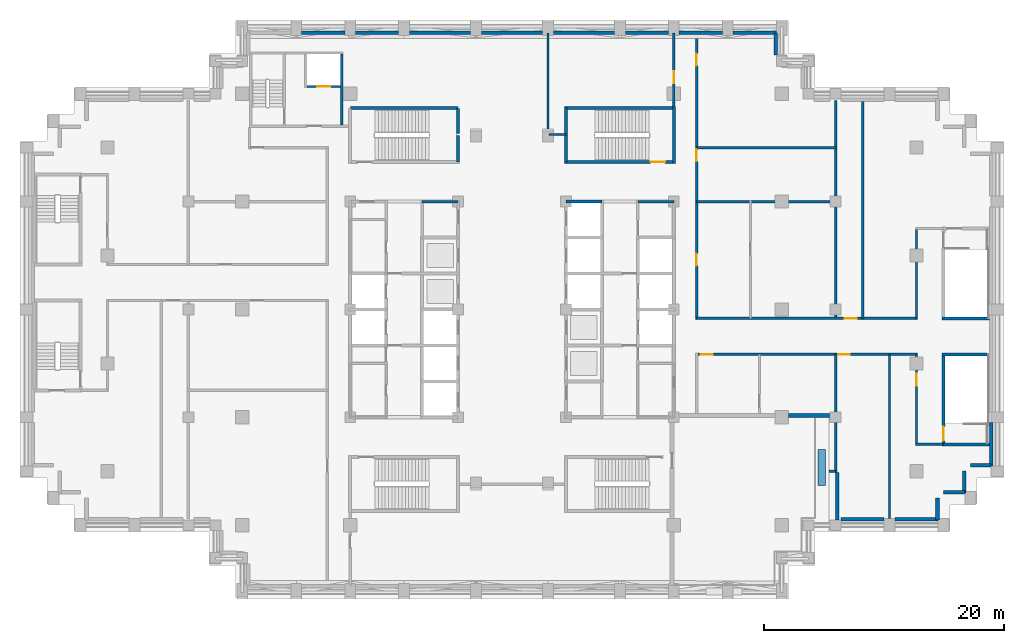
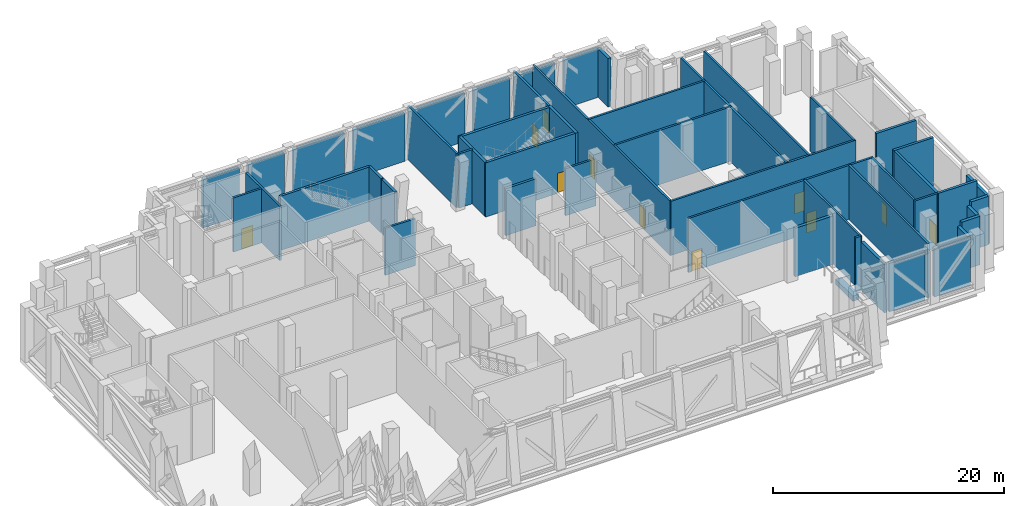
# One storey, part 8 of 14: 51 walls, 11 doors, 11 openings.
"""IFC4 building model written with IfcOpenShell, lengths in metres."""

from ifc_helpers import new_model, si_unit, direction, frame, frame_2d, origin, place, context, subcontext, project, spatial, rectangle, extrude, material, layer, layer_set, type_object, element, fill, save


model = new_model("IFC4")

# Units and contexts
model_context = context("Model", 3, precision=1e-05, world=origin(), true_north=direction((0.0, 1.0)))
body_context = subcontext(model_context, "Body", "Model", "MODEL_VIEW")
ifc_project = project(units=[si_unit("LENGTHUNIT", "METRE"), si_unit("AREAUNIT", "SQUARE_METRE"), si_unit("VOLUMEUNIT", "CUBIC_METRE"), si_unit("PLANEANGLEUNIT", "RADIAN"), si_unit("MASSUNIT", "GRAM", prefix="KILO")], contexts=[model_context])

# Site, building, storey
site_placement = place(None, origin())
site = spatial("IfcSite", under=ifc_project, at=site_placement, CompositionType="ELEMENT")
building_placement = place(site_placement, origin())
building = spatial("IfcBuilding", under=site, at=building_placement, Name="Corbelhall Arena Tower", CompositionType="ELEMENT")
storey_placement = place(building_placement, frame((0.0, 0.0, 178.0)))
storey = spatial("IfcBuildingStorey", under=building, at=storey_placement, Name="L36", CompositionType="ELEMENT", Elevation=178.0)

# Walls
ifc_material_1 = material(Name="Precast concrete C40/50 with granite facing", Category="masonry")
ifc_layer_1 = layer(ifc_material_1, 0.300048828125)
ifc_layer_set_1 = layer_set([ifc_layer_1], Name="EV-IW1 Infill panel 300")
wall_type_1 = type_object("IfcWallType", Name="EV-IW1 Infill panel 300", PredefinedType="SOLIDWALL", material=ifc_layer_set_1)
for number, where, z_axis, x_axis, name in (
    (1, (35.5, -17.550048828125, 0.0), (0.0, 0.0, 1.0), (0.0, 1.0, 0.0), "Infill panel IW1"),
    (2, (37.800048828125, -15.25, 0.0), (0.0, 0.0, 1.0), (-1.0, 0.0, 0.0), "Infill panel IW1"),
    (3, (37.75, -15.300048828125, 0.0), (0.0, 0.0, 1.0), (0.0, 1.0, 0.0), "Infill panel IW1"),
):
    element("IfcWall", number, at=place(storey_placement, frame(where, z_axis=z_axis, x_axis=x_axis)), inside=storey, type_object=wall_type_1, Name=name, PredefinedType="SOLIDWALL", context=body_context, shape_type="SweptSolid", body=[
        extrude(rectangle(XDim=1.800048828125, YDim=0.300048828125, at=frame_2d((0.89990234375, 0.0))), origin(), (0.0, 0.0, 1.0), 5.1201171875),
    ])
wall_1_placement = place(storey_placement, frame((39.949951171875, -13.0, 0.0), z_axis=(0.0, 0.0, 1.0), x_axis=(-1.0, 0.0, 0.0)))
element("IfcWall", 4, at=wall_1_placement, inside=storey, type_object=wall_type_1, Name="Infill panel IW1", PredefinedType="SOLIDWALL", context=body_context, shape_type="SweptSolid", body=[
    extrude(rectangle(XDim=1.699951171875, YDim=0.300048828125, at=frame_2d((0.85009765625, 0.0))), origin(), (0.0, 0.0, 1.0), 5.1201171875),
])
for number, where, z_axis, x_axis, name in (
    (5, (27.449951171875, -17.5, 0.0), (0.0, 0.0, 1.0), (1.0, 0.0, 0.0), "Infill panel IW1"),
    (6, (31.949951171875, -17.5, 0.0), (0.0, 0.0, 1.0), (1.0, 0.0, 0.0), "Infill panel IW1"),
    (7, (40.0, -13.050048828125, 0.0), (0.0, 0.0, 1.0), (0.0, 1.0, 0.0), "Infill panel IW1"),
):
    element("IfcWall", number, at=place(storey_placement, frame(where, z_axis=z_axis, x_axis=x_axis)), inside=storey, type_object=wall_type_1, Name=name, PredefinedType="SOLIDWALL", context=body_context, shape_type="SweptSolid", body=[
        extrude(rectangle(XDim=3.60009765625, YDim=0.300048828125, at=frame_2d((1.800048828125, 0.0))), origin(), (0.0, 0.0, 1.0), 5.1201171875),
    ])
wall_2_placement = place(storey_placement, frame((22.0, 21.25, 0.0), z_axis=(0.0, 0.0, 1.0), x_axis=(0.0, 1.0, 0.0)))
element("IfcWall", 8, at=wall_2_placement, inside=storey, type_object=wall_type_1, Name="Infill panel IW1", PredefinedType="SOLIDWALL", context=body_context, shape_type="SweptSolid", body=[
    extrude(rectangle(XDim=1.800048828125, YDim=0.300048828125, at=frame_2d((0.89990234375, 0.0))), origin(), (0.0, 0.0, 1.0), 5.1201171875),
])
for number, where, z_axis, x_axis, name in (
    (9, (22.050048828125, 23.10009765625, 0.0), (0.0, 0.0, 1.0), (-1.0, 0.0, 0.0), "Infill panel IW1"),
    (10, (17.550048828125, 23.10009765625, 0.0), (0.0, 0.0, 1.0), (-1.0, 0.0, 0.0), "Infill panel IW1"),
    (11, (13.050048828125, 23.10009765625, 0.0), (0.0, 0.0, 1.0), (-1.0, 0.0, 0.0), "Infill panel IW1"),
):
    element("IfcWall", number, at=place(storey_placement, frame(where, z_axis=z_axis, x_axis=x_axis)), inside=storey, type_object=wall_type_1, Name=name, PredefinedType="SOLIDWALL", context=body_context, shape_type="SweptSolid", body=[
        extrude(rectangle(XDim=3.60009765625, YDim=0.300048828125, at=frame_2d((1.800048828125, 0.0))), origin(), (0.0, 0.0, 1.0), 5.1201171875),
    ])
for number, where, z_axis, x_axis, name in (
    (12, (8.550048828125, 23.10009765625, 0.0), (0.0, 0.0, 1.0), (-1.0, 0.0, 0.0), "Infill panel IW1"),
    (13, (2.550048828125, 23.10009765625, 0.0), (0.0, 0.0, 1.0), (-1.0, 0.0, 0.0), "Infill panel IW1"),
    (14, (-3.449951171875, 23.10009765625, 0.0), (0.0, 0.0, 1.0), (-1.0, 0.0, 0.0), "Infill panel IW1"),
):
    element("IfcWall", number, at=place(storey_placement, frame(where, z_axis=z_axis, x_axis=x_axis)), inside=storey, type_object=wall_type_1, Name=name, PredefinedType="SOLIDWALL", context=body_context, shape_type="SweptSolid", body=[
        extrude(rectangle(XDim=5.10009765625, YDim=0.300048828125, at=frame_2d((2.550048828125, 0.0))), origin(), (0.0, 0.0, 1.0), 5.1201171875),
    ])
for number, where, z_axis, x_axis, name in (
    (15, (-9.449951171875, 23.10009765625, 0.0), (0.0, 0.0, 1.0), (-1.0, 0.0, 0.0), "Infill panel IW1"),
    (16, (-13.949951171875, 23.10009765625, 0.0), (0.0, 0.0, 1.0), (-1.0, 0.0, 0.0), "Infill panel IW1"),
):
    element("IfcWall", number, at=place(storey_placement, frame(where, z_axis=z_axis, x_axis=x_axis)), inside=storey, type_object=wall_type_1, Name=name, PredefinedType="SOLIDWALL", context=body_context, shape_type="SweptSolid", body=[
        extrude(rectangle(XDim=3.60009765625, YDim=0.300048828125, at=frame_2d((1.800048828125, 0.0))), origin(), (0.0, 0.0, 1.0), 5.1201171875),
    ])
wall_3_placement = place(storey_placement, frame((23.050048828125, -8.85009765625, 0.0), z_axis=(0.0, 0.0, 1.0), x_axis=(1.0, 0.0, 0.0)))
element("IfcWall", 17, at=wall_3_placement, inside=storey, type_object=wall_type_1, Name="Infill panel IW1", PredefinedType="SOLIDWALL", context=body_context, shape_type="SweptSolid", body=[
    extrude(rectangle(XDim=3.89990234375, YDim=0.300048828125, at=frame_2d((1.949951171875, 0.0))), origin(), (0.0, 0.0, 1.0), 5.1201171875),
])
wall_4_placement = place(storey_placement, frame((27.14990234375, -17.550048828125, 0.0), z_axis=(0.0, 0.0, 1.0), x_axis=(0.0, 1.0, 0.0)))
element("IfcWall", 18, at=wall_4_placement, inside=storey, type_object=wall_type_1, Name="Infill panel IW1", PredefinedType="SOLIDWALL", context=body_context, shape_type="SweptSolid", body=[
    extrude(rectangle(XDim=3.949951171875, YDim=0.300048828125, at=frame_2d((1.97509765625, 0.0))), origin(), (0.0, 0.0, 1.0), 5.1201171875),
])
ifc_layer_2 = layer(ifc_material_1, 0.60009765625)
ifc_layer_set_2 = layer_set([ifc_layer_2], Name="EV-PL1 Planter box")
wall_type_2 = type_object("IfcWallType", Name="EV-PL1 Planter box", PredefinedType="SOLIDWALL", material=ifc_layer_set_2)
wall_5_placement = place(storey_placement, frame((25.840087890625, -11.695068359375, 0.0), z_axis=(0.0, 0.0, 1.0), x_axis=(0.0, -1.0, 0.0)))
element("IfcWall", 19, at=wall_5_placement, inside=storey, type_object=wall_type_2, Name="PLANTER", PredefinedType="SOLIDWALL", context=body_context, shape_type="SweptSolid", body=[
    extrude(rectangle(XDim=3.0, YDim=0.60009765625, at=frame_2d((1.5, 0.0))), origin(), (0.0, 0.0, 1.0), 0.5400390625),
])
ifc_material_2 = material(Name="Gypsum board on steel stud, acoustic", Category="steel")
ifc_layer_3 = layer(ifc_material_2, 0.199951171875)
ifc_layer_set_3 = layer_set([ifc_layer_3], Name="IN-W-DM200")
wall_type_3 = type_object("IfcWallType", Name="IN-W-DM200", PredefinedType="PARTITIONING", material=ifc_layer_set_3)
wall_6_placement = place(storey_placement, frame((3.0, 23.049560546875, 0.0), z_axis=(0.0, 0.0, 1.0), x_axis=(0.0, -1.0, 0.0)))
element("IfcWall", 20, at=wall_6_placement, inside=storey, type_object=wall_type_3, Name="Partition 018", PredefinedType="PARTITIONING", context=body_context, shape_type="SweptSolid", body=[
    extrude(rectangle(XDim=8.379638671875, YDim=0.199951171875, at=frame_2d((4.18994140625, 0.0))), origin(), (0.0, 0.0, 1.0), 5.719970703125),
])
wall_7_placement = place(storey_placement, frame((3.070068359375, 14.60009765625, 0.0), z_axis=(0.0, 0.0, 1.0), x_axis=(1.0, 0.0, 0.0)))
element("IfcWall", 21, at=wall_7_placement, inside=storey, type_object=wall_type_3, Name="Partition 019", PredefinedType="PARTITIONING", context=body_context, shape_type="SweptSolid", body=[
    extrude(rectangle(XDim=1.429443359375, YDim=0.199951171875, at=frame_2d((0.71484375, 0.0))), origin(), (0.0, 0.0, 1.0), 5.719970703125),
])

# Wall, opening, door
wall_8_placement = place(storey_placement, frame((13.5, 16.675048828125, 0.0), z_axis=(0.0, 0.0, 1.0), x_axis=(0.0, 1.0, 0.0)))
wall_8 = element("IfcWall", 22, at=wall_8_placement, inside=storey, type_object=wall_type_3, Name="Partition 020", PredefinedType="PARTITIONING", context=body_context, shape_type="SweptSolid", body=[
    extrude(rectangle(XDim=6.375, YDim=0.199951171875, at=frame_2d((3.1875, 0.0))), origin(), (0.0, 0.0, 1.0), 5.719970703125),
])
opening_1_placement = place(wall_8_placement, frame((2.199951171875, 0.0, 0.0)))
opening_1 = element("IfcOpeningElement", 23, at=opening_1_placement, cuts=wall_8, Name="Opening 27020", PredefinedType="OPENING", context=body_context, shape_type="SweptSolid", body=[
    extrude(rectangle(XDim=1.0, YDim=2.10009765625, at=frame_2d((0.5, 1.050048828125))), frame((0.0, 0.10009765625, 0.0), z_axis=(0.0, -1.0, 0.0), x_axis=(1.0, 0.0, 0.0)), (0.0, 0.0, 1.0), 0.199951171875),
])
ifc_material_3 = material(Name="Steel door set", Category="steel")
door_type_1 = type_object("IfcDoorType", Name="IN-D-SW100", OperationType="NOTDEFINED", PredefinedType="DOOR", material=ifc_material_3)
door_1_placement = place(opening_1_placement, origin())
door_1 = element("IfcDoor", 24, at=door_1_placement, inside=storey, type_object=door_type_1, Name="Door 020", OperationType="SINGLE_SWING_LEFT", OverallHeight=2.10009765625, OverallWidth=1.0, PredefinedType="DOOR", context=body_context, shape_type="SweptSolid", body=[
    extrude(rectangle(XDim=1.0, YDim=2.10009765625, at=frame_2d((0.5, 1.050048828125))), frame((0.0, 0.02490234375, 0.0), z_axis=(0.0, -1.0, 0.0), x_axis=(1.0, 0.0, 0.0)), (0.0, 0.0, 1.0), 0.050048828125),
])
fill(opening_1, door_1)

wall_9_placement = place(storey_placement, frame((15.39990234375, -0.75, 0.0), z_axis=(0.0, 0.0, 1.0), x_axis=(1.0, 0.0, 0.0)))
wall_9 = element("IfcWall", 25, at=wall_9_placement, inside=storey, type_object=wall_type_3, Name="Partition 022", PredefinedType="PARTITIONING", context=body_context, shape_type="SweptSolid", body=[
    extrude(rectangle(XDim=18.4501953125, YDim=0.199951171875, at=frame_2d((9.22509765625, 0.0))), origin(), (0.0, 0.0, 1.0), 5.719970703125),
])
opening_2_placement = place(wall_9_placement, frame((12.35009765625, 0.0, 0.0)))
opening_2 = element("IfcOpeningElement", 26, at=opening_2_placement, cuts=wall_9, Name="Opening 27035", PredefinedType="OPENING", context=body_context, shape_type="SweptSolid", body=[
    extrude(rectangle(XDim=1.0, YDim=2.10009765625, at=frame_2d((0.5, 1.050048828125))), frame((0.0, 0.10009765625, 0.0), z_axis=(0.0, -1.0, 0.0), x_axis=(1.0, 0.0, 0.0)), (0.0, 0.0, 1.0), 0.199951171875),
])
door_2_placement = place(opening_2_placement, origin())
door_2 = element("IfcDoor", 27, at=door_2_placement, inside=storey, type_object=door_type_1, Name="Door 035", OperationType="SINGLE_SWING_RIGHT", OverallHeight=2.10009765625, OverallWidth=1.0, PredefinedType="DOOR", context=body_context, shape_type="SweptSolid", body=[
    extrude(rectangle(XDim=1.0, YDim=2.10009765625, at=frame_2d((0.5, 1.050048828125))), frame((0.0, 0.02490234375, 0.0), z_axis=(0.0, -1.0, 0.0), x_axis=(1.0, 0.0, 0.0)), (0.0, 0.0, 1.0), 0.050048828125),
])
fill(opening_2, door_2)

# Wall
wall_10_placement = place(storey_placement, frame((15.39990234375, 9.0, 0.0), z_axis=(0.0, 0.0, 1.0), x_axis=(1.0, 0.0, 0.0)))
element("IfcWall", 28, at=wall_10_placement, inside=storey, type_object=wall_type_3, Name="Partition 023", PredefinedType="PARTITIONING", context=body_context, shape_type="SweptSolid", body=[
    extrude(rectangle(XDim=11.7001953125, YDim=0.199951171875, at=frame_2d((5.85009765625, 0.0))), origin(), (0.0, 0.0, 1.0), 5.719970703125),
])

# Wall, openings, doors
wall_11_placement = place(storey_placement, frame((15.39990234375, 22.949951171875, 0.0), z_axis=(0.0, 0.0, 1.0), x_axis=(0.0, -1.0, 0.0)))
wall_11 = element("IfcWall", 29, at=wall_11_placement, inside=storey, type_object=wall_type_3, Name="Partition 024", PredefinedType="PARTITIONING", context=body_context, shape_type="SweptSolid", body=[
    extrude(rectangle(XDim=23.800048828125, YDim=0.199951171875, at=frame_2d((11.89990234375, 0.0))), origin(), (0.0, 0.0, 1.0), 5.719970703125),
])
opening_3_placement = place(wall_11_placement, frame((18.300048828125, 0.0, 0.0)))
opening_3 = element("IfcOpeningElement", 30, at=opening_3_placement, cuts=wall_11, Name="Opening 27026", PredefinedType="OPENING", context=body_context, shape_type="SweptSolid", body=[
    extrude(rectangle(XDim=1.0, YDim=2.10009765625, at=frame_2d((0.5, 1.050048828125))), frame((0.0, 0.10009765625, 0.0), z_axis=(0.0, -1.0, 0.0), x_axis=(1.0, 0.0, 0.0)), (0.0, 0.0, 1.0), 0.199951171875),
])
opening_4_placement = place(wall_11_placement, frame((9.60009765625, 0.0, 0.0)))
opening_4 = element("IfcOpeningElement", 31, at=opening_4_placement, cuts=wall_11, Name="Opening 27028", PredefinedType="OPENING", context=body_context, shape_type="SweptSolid", body=[
    extrude(rectangle(XDim=1.0, YDim=2.10009765625, at=frame_2d((0.5, 1.050048828125))), frame((0.0, 0.10009765625, 0.0), z_axis=(0.0, -1.0, 0.0), x_axis=(1.0, 0.0, 0.0)), (0.0, 0.0, 1.0), 0.199951171875),
])
opening_5_placement = place(wall_11_placement, frame((1.60009765625, 0.0, 0.0)))
opening_5 = element("IfcOpeningElement", 32, at=opening_5_placement, cuts=wall_11, Name="Opening 27029", PredefinedType="OPENING", context=body_context, shape_type="SweptSolid", body=[
    extrude(rectangle(XDim=1.0, YDim=2.10009765625, at=frame_2d((0.5, 1.050048828125))), frame((0.0, 0.10009765625, 0.0), z_axis=(0.0, -1.0, 0.0), x_axis=(1.0, 0.0, 0.0)), (0.0, 0.0, 1.0), 0.199951171875),
])
door_3_placement = place(opening_3_placement, origin())
door_3 = element("IfcDoor", 33, at=door_3_placement, inside=storey, type_object=door_type_1, Name="Door 026", OperationType="SINGLE_SWING_LEFT", OverallHeight=2.10009765625, OverallWidth=1.0, PredefinedType="DOOR", context=body_context, shape_type="SweptSolid", body=[
    extrude(rectangle(XDim=1.0, YDim=2.10009765625, at=frame_2d((0.5, 1.050048828125))), frame((0.0, 0.02490234375, 0.0), z_axis=(0.0, -1.0, 0.0), x_axis=(1.0, 0.0, 0.0)), (0.0, 0.0, 1.0), 0.050048828125),
])
fill(opening_3, door_3)
door_4_placement = place(opening_4_placement, origin())
door_4 = element("IfcDoor", 34, at=door_4_placement, inside=storey, type_object=door_type_1, Name="Door 028", OperationType="SINGLE_SWING_LEFT", OverallHeight=2.10009765625, OverallWidth=1.0, PredefinedType="DOOR", context=body_context, shape_type="SweptSolid", body=[
    extrude(rectangle(XDim=1.0, YDim=2.10009765625, at=frame_2d((0.5, 1.050048828125))), frame((0.0, 0.02490234375, 0.0), z_axis=(0.0, -1.0, 0.0), x_axis=(1.0, 0.0, 0.0)), (0.0, 0.0, 1.0), 0.050048828125),
])
fill(opening_4, door_4)
door_5_placement = place(opening_5_placement, origin())
door_5 = element("IfcDoor", 35, at=door_5_placement, inside=storey, type_object=door_type_1, Name="Door 029", OperationType="SINGLE_SWING_RIGHT", OverallHeight=2.10009765625, OverallWidth=1.0, PredefinedType="DOOR", context=body_context, shape_type="SweptSolid", body=[
    extrude(rectangle(XDim=1.0, YDim=2.10009765625, at=frame_2d((0.5, 1.050048828125))), frame((0.0, 0.02490234375, 0.0), z_axis=(0.0, -1.0, 0.0), x_axis=(1.0, 0.0, 0.0)), (0.0, 0.0, 1.0), 0.050048828125),
])
fill(opening_5, door_5)

# Wall
wall_12_placement = place(storey_placement, frame((15.39990234375, 13.5, 0.0), z_axis=(0.0, 0.0, 1.0), x_axis=(1.0, 0.0, 0.0)))
element("IfcWall", 36, at=wall_12_placement, inside=storey, type_object=wall_type_3, Name="Partition 025", PredefinedType="PARTITIONING", context=body_context, shape_type="SweptSolid", body=[
    extrude(rectangle(XDim=11.7001953125, YDim=0.199951171875, at=frame_2d((5.85009765625, 0.0))), origin(), (0.0, 0.0, 1.0), 5.719970703125),
])

# Wall, openings, doors
wall_13_placement = place(storey_placement, frame((33.85009765625, -3.75, 0.0), z_axis=(0.0, 0.0, 1.0), x_axis=(-1.0, 0.0, 0.0)))
wall_13 = element("IfcWall", 37, at=wall_13_placement, inside=storey, type_object=wall_type_3, Name="Partition 028", PredefinedType="PARTITIONING", context=body_context, shape_type="SweptSolid", body=[
    extrude(rectangle(XDim=18.4501953125, YDim=0.199951171875, at=frame_2d((9.22509765625, 0.0))), origin(), (0.0, 0.0, 1.0), 5.719970703125),
])
opening_6_placement = place(wall_13_placement, frame((17.10009765625, 0.0, 0.0)))
opening_6 = element("IfcOpeningElement", 38, at=opening_6_placement, cuts=wall_13, Name="Opening 27030", PredefinedType="OPENING", context=body_context, shape_type="SweptSolid", body=[
    extrude(rectangle(XDim=1.0, YDim=2.10009765625, at=frame_2d((0.5, 1.050048828125))), frame((0.0, 0.10009765625, 0.0), z_axis=(0.0, -1.0, 0.0), x_axis=(1.0, 0.0, 0.0)), (0.0, 0.0, 1.0), 0.199951171875),
])
opening_7_placement = place(wall_13_placement, frame((5.64990234375, 0.0, 0.0)))
opening_7 = element("IfcOpeningElement", 39, at=opening_7_placement, cuts=wall_13, Name="Opening 27037", PredefinedType="OPENING", context=body_context, shape_type="SweptSolid", body=[
    extrude(rectangle(XDim=1.0, YDim=2.10009765625, at=frame_2d((0.5, 1.050048828125))), frame((0.0, 0.10009765625, 0.0), z_axis=(0.0, -1.0, 0.0), x_axis=(1.0, 0.0, 0.0)), (0.0, 0.0, 1.0), 0.199951171875),
])
door_6_placement = place(opening_6_placement, origin())
door_6 = element("IfcDoor", 40, at=door_6_placement, inside=storey, type_object=door_type_1, Name="Door 030", OperationType="SINGLE_SWING_LEFT", OverallHeight=2.10009765625, OverallWidth=1.0, PredefinedType="DOOR", context=body_context, shape_type="SweptSolid", body=[
    extrude(rectangle(XDim=1.0, YDim=2.10009765625, at=frame_2d((0.5, 1.050048828125))), frame((0.0, 0.02490234375, 0.0), z_axis=(0.0, -1.0, 0.0), x_axis=(1.0, 0.0, 0.0)), (0.0, 0.0, 1.0), 0.050048828125),
])
fill(opening_6, door_6)
door_7_placement = place(opening_7_placement, origin())
door_7 = element("IfcDoor", 41, at=door_7_placement, inside=storey, type_object=door_type_1, Name="Door 037", OperationType="SINGLE_SWING_RIGHT", OverallHeight=2.10009765625, OverallWidth=1.0, PredefinedType="DOOR", context=body_context, shape_type="SweptSolid", body=[
    extrude(rectangle(XDim=1.0, YDim=2.10009765625, at=frame_2d((0.5, 1.050048828125))), frame((0.0, 0.02490234375, 0.0), z_axis=(0.0, -1.0, 0.0), x_axis=(1.0, 0.0, 0.0)), (0.0, 0.0, 1.0), 0.050048828125),
])
fill(opening_7, door_7)

# Walls
wall_14_placement = place(storey_placement, frame((27.0, -13.5, 0.0), z_axis=(0.0, 0.0, 1.0), x_axis=(-1.0, 0.0, 0.0)))
element("IfcWall", 42, at=wall_14_placement, inside=storey, type_object=wall_type_3, Name="Partition 029", PredefinedType="PARTITIONING", context=body_context, shape_type="SweptSolid", body=[
    extrude(rectangle(XDim=0.550048828125, YDim=0.199951171875, at=frame_2d((0.27490234375, 0.0))), origin(), (0.0, 0.0, 1.0), 5.719970703125),
])
wall_15_placement = place(storey_placement, frame((27.0, -3.75, 0.0), z_axis=(0.0, 0.0, 1.0), x_axis=(0.0, -1.0, 0.0)))
element("IfcWall", 43, at=wall_15_placement, inside=storey, type_object=wall_type_3, Name="Partition 030", PredefinedType="PARTITIONING", context=body_context, shape_type="SweptSolid", body=[
    extrude(rectangle(XDim=9.85009765625, YDim=0.199951171875, at=frame_2d((4.925048828125, 0.0))), origin(), (0.0, 0.0, 1.0), 5.719970703125),
])
wall_16_placement = place(storey_placement, frame((27.0, 17.449951171875, 0.0), z_axis=(0.0, 0.0, 1.0), x_axis=(0.0, -1.0, 0.0)))
element("IfcWall", 44, at=wall_16_placement, inside=storey, type_object=wall_type_3, Name="Partition 031", PredefinedType="PARTITIONING", context=body_context, shape_type="SweptSolid", body=[
    extrude(rectangle(XDim=18.199951171875, YDim=0.199951171875, at=frame_2d((9.10009765625, 0.0))), origin(), (0.0, 0.0, 1.0), 5.719970703125),
])
wall_17_placement = place(storey_placement, frame((29.25, 17.35009765625, 0.0), z_axis=(0.0, 0.0, 1.0), x_axis=(0.0, -1.0, 0.0)))
element("IfcWall", 45, at=wall_17_placement, inside=storey, type_object=wall_type_3, Name="Partition 032", PredefinedType="PARTITIONING", context=body_context, shape_type="SweptSolid", body=[
    extrude(rectangle(XDim=18.10009765625, YDim=0.199951171875, at=frame_2d((9.050048828125, 0.0))), origin(), (0.0, 0.0, 1.0), 5.719970703125),
])
wall_18_placement = place(storey_placement, frame((31.5, -3.75, 0.0), z_axis=(0.0, 0.0, 1.0), x_axis=(0.0, -1.0, 0.0)))
element("IfcWall", 46, at=wall_18_placement, inside=storey, type_object=wall_type_3, Name="Partition 033", PredefinedType="PARTITIONING", context=body_context, shape_type="SweptSolid", body=[
    extrude(rectangle(XDim=13.699951171875, YDim=0.199951171875, at=frame_2d((6.85009765625, 0.0))), origin(), (0.0, 0.0, 1.0), 5.719970703125),
])

# Wall, opening, door
wall_19_placement = place(storey_placement, frame((33.75, -11.25, 0.0), z_axis=(0.0, 0.0, 1.0), x_axis=(0.0, 1.0, 0.0)))
wall_19 = element("IfcWall", 47, at=wall_19_placement, inside=storey, type_object=wall_type_3, Name="Partition 035", PredefinedType="PARTITIONING", context=body_context, shape_type="SweptSolid", body=[
    extrude(rectangle(XDim=7.5, YDim=0.199951171875, at=frame_2d((3.75, 0.0))), origin(), (0.0, 0.0, 1.0), 5.719970703125),
])
opening_8_placement = place(wall_19_placement, frame((4.89990234375, 0.0, 0.0)))
opening_8 = element("IfcOpeningElement", 48, at=opening_8_placement, cuts=wall_19, Name="Opening 27038", PredefinedType="OPENING", context=body_context, shape_type="SweptSolid", body=[
    extrude(rectangle(XDim=1.0, YDim=2.10009765625, at=frame_2d((0.5, 1.050048828125))), frame((0.0, 0.10009765625, 0.0), z_axis=(0.0, -1.0, 0.0), x_axis=(1.0, 0.0, 0.0)), (0.0, 0.0, 1.0), 0.199951171875),
])
door_8_placement = place(opening_8_placement, origin())
door_8 = element("IfcDoor", 49, at=door_8_placement, inside=storey, type_object=door_type_1, Name="Door 038", OperationType="SINGLE_SWING_LEFT", OverallHeight=2.10009765625, OverallWidth=1.0, PredefinedType="DOOR", context=body_context, shape_type="SweptSolid", body=[
    extrude(rectangle(XDim=1.0, YDim=2.10009765625, at=frame_2d((0.5, 1.050048828125))), frame((0.0, 0.02490234375, 0.0), z_axis=(0.0, -1.0, 0.0), x_axis=(1.0, 0.0, 0.0)), (0.0, 0.0, 1.0), 0.050048828125),
])
fill(opening_8, door_8)

# Walls
wall_20_placement = place(storey_placement, frame((33.75, -0.75, 0.0), z_axis=(0.0, 0.0, 1.0), x_axis=(0.0, 1.0, 0.0)))
element("IfcWall", 50, at=wall_20_placement, inside=storey, type_object=wall_type_3, Name="Partition 036", PredefinedType="PARTITIONING", context=body_context, shape_type="SweptSolid", body=[
    extrude(rectangle(XDim=7.5, YDim=0.199951171875, at=frame_2d((3.75, 0.0))), origin(), (0.0, 0.0, 1.0), 5.719970703125),
])
wall_21_placement = place(storey_placement, frame((36.0, -11.25, 0.0), z_axis=(0.0, 0.0, 1.0), x_axis=(-1.0, 0.0, 0.0)))
element("IfcWall", 51, at=wall_21_placement, inside=storey, type_object=wall_type_3, Name="Partition 037", PredefinedType="PARTITIONING", context=body_context, shape_type="SweptSolid", body=[
    extrude(rectangle(XDim=2.35009765625, YDim=0.199951171875, at=frame_2d((1.175048828125, 0.0))), origin(), (0.0, 0.0, 1.0), 5.719970703125),
])
ifc_material_4 = material(Name="Concrete C40/50", Category="concrete")
ifc_layer_4 = layer(ifc_material_4, 0.199951171875)
ifc_layer_set_4 = layer_set([ifc_layer_4], Name="IN-W-EAR200")
wall_type_4 = type_object("IfcWallType", Name="IN-W-EAR200", PredefinedType="SOLIDWALL", material=ifc_layer_set_4)
wall_22_placement = place(storey_placement, frame((-14.199951171875, 15.39990234375, 0.0), z_axis=(0.0, 0.0, 1.0), x_axis=(0.0, 1.0, 0.0)))
element("IfcWall", 52, at=wall_22_placement, inside=storey, type_object=wall_type_4, Name="Fire service turret wall east", PredefinedType="SOLIDWALL", context=body_context, shape_type="SweptSolid", body=[
    extrude(rectangle(XDim=5.900146484375, YDim=0.199951171875, at=frame_2d((2.9501953125, 0.0))), origin(), (0.0, 0.0, 1.0), 5.719970703125),
])

# Wall, opening, door
wall_23_placement = place(storey_placement, frame((-17.10009765625, 18.60009765625, 0.0), z_axis=(0.0, 0.0, 1.0), x_axis=(1.0, 0.0, 0.0)))
wall_23 = element("IfcWall", 53, at=wall_23_placement, inside=storey, type_object=wall_type_4, Name="Fire service turret wall hoistway south", PredefinedType="SOLIDWALL", context=body_context, shape_type="SweptSolid", body=[
    extrude(rectangle(XDim=2.800048828125, YDim=0.199951171875, at=frame_2d((1.39990234375, 0.0))), origin(), (0.0, 0.0, 1.0), 5.719970703125),
])
opening_9_placement = place(wall_23_placement, frame((0.85009765625, 0.0, 0.0)))
opening_9 = element("IfcOpeningElement", 54, at=opening_9_placement, cuts=wall_23, Name="Opening LD", PredefinedType="OPENING", context=body_context, shape_type="SweptSolid", body=[
    extrude(rectangle(XDim=1.10009765625, YDim=2.10009765625, at=frame_2d((0.550048828125, 1.050048828125))), frame((0.0, 0.10009765625, 0.0), z_axis=(0.0, -1.0, 0.0), x_axis=(1.0, 0.0, 0.0)), (0.0, 0.0, 1.0), 0.199951171875),
])
door_type_2 = type_object("IfcDoorType", Name="IN-D-LD110", OperationType="NOTDEFINED", PredefinedType="DOOR", material=ifc_material_3)
door_9_placement = place(opening_9_placement, origin())
door_9 = element("IfcDoor", 55, at=door_9_placement, inside=storey, type_object=door_type_2, Name="Landing door FS1", OperationType="SLIDING_TO_LEFT", OverallHeight=2.10009765625, OverallWidth=1.10009765625, PredefinedType="DOOR", context=body_context, shape_type="SweptSolid", body=[
    extrude(rectangle(XDim=1.10009765625, YDim=2.10009765625, at=frame_2d((0.550048828125, 1.050048828125))), frame((0.0, 0.02490234375, 0.0), z_axis=(0.0, -1.0, 0.0), x_axis=(1.0, 0.0, 0.0)), (0.0, 0.0, 1.0), 0.050048828125),
])
fill(opening_9, door_9)

# Walls
ifc_material_5 = material(Name="Concrete block wall", Category="concrete")
ifc_layer_5 = layer(ifc_material_5, 0.199951171875)
ifc_layer_set_5 = layer_set([ifc_layer_5], Name="IN-W-RS200 under beam 762 mm")
wall_type_5 = type_object("IfcWallType", Name="IN-W-RS200 under beam 762 mm", PredefinedType="SOLIDWALL", material=ifc_layer_set_5)
for number, where, z_axis, x_axis, name in (
    (56, (-7.5, 9.0, 0.0), (0.0, 0.0, 1.0), (1.0, 0.0, 0.0), "Partition 044"),
    (57, (10.5, 9.0, 0.0), (0.0, 0.0, 1.0), (1.0, 0.0, 0.0), "Partition 050"),
):
    element("IfcWall", number, at=place(storey_placement, frame(where, z_axis=z_axis, x_axis=x_axis)), inside=storey, type_object=wall_type_5, Name=name, PredefinedType="SOLIDWALL", context=body_context, shape_type="SweptSolid", body=[
        extrude(rectangle(XDim=3.0, YDim=0.199951171875, at=frame_2d((1.5, 0.0))), origin(), (0.0, 0.0, 1.0), 4.9580078125),
    ])
ifc_layer_6 = layer(ifc_material_4, 0.25)
ifc_layer_set_6 = layer_set([ifc_layer_6], Name="IN-W-SH250 under beam 762 mm")
wall_type_6 = type_object("IfcWallType", Name="IN-W-SH250 under beam 762 mm", PredefinedType="SOLIDWALL", material=ifc_layer_set_6)
wall_24_placement = place(storey_placement, frame((4.5, 9.0, 0.0), z_axis=(0.0, 0.0, 1.0), x_axis=(1.0, 0.0, 0.0)))
element("IfcWall", 58, at=wall_24_placement, inside=storey, type_object=wall_type_6, Name="Shaft wall 071", PredefinedType="SOLIDWALL", context=body_context, shape_type="SweptSolid", body=[
    extrude(rectangle(XDim=3.0, YDim=0.25, at=frame_2d((1.5, 0.0))), origin(), (0.0, 0.0, 1.0), 4.9580078125),
])
ifc_layer_7 = layer(ifc_material_4, 0.25)
ifc_layer_set_7 = layer_set([ifc_layer_7], Name="IN-W-ST250")
wall_type_7 = type_object("IfcWallType", Name="IN-W-ST250", PredefinedType="SOLIDWALL", material=ifc_layer_set_7)
wall_25_placement = place(storey_placement, frame((-13.47998046875, 16.800048828125, 0.0), z_axis=(0.0, 0.0, 1.0), x_axis=(1.0, 0.0, 0.0)))
element("IfcWall", 59, at=wall_25_placement, inside=storey, type_object=wall_type_7, Name="Shaft wall 086", PredefinedType="SOLIDWALL", context=body_context, shape_type="SweptSolid", body=[
    extrude(rectangle(XDim=8.9599609375, YDim=0.25, at=frame_2d((4.47998046875, 0.0))), origin(), (0.0, 0.0, 1.0), 5.719970703125),
])
wall_26_placement = place(storey_placement, frame((-4.5, 14.532958984375, 0.0), z_axis=(0.0, 0.0, 1.0), x_axis=(0.0, -1.0, 0.0)))
element("IfcWall", 60, at=wall_26_placement, inside=storey, type_object=wall_type_7, Name="Shaft wall 089", PredefinedType="SOLIDWALL", context=body_context, shape_type="SweptSolid", body=[
    extrude(rectangle(XDim=2.23291015625, YDim=0.25, at=frame_2d((1.116455078125, 0.0))), origin(), (0.0, 0.0, 1.0), 5.719970703125),
])
wall_27_placement = place(storey_placement, frame((-4.5, 16.780029296875, 0.0), z_axis=(0.0, 0.0, 1.0), x_axis=(0.0, -1.0, 0.0)))
element("IfcWall", 61, at=wall_27_placement, inside=storey, type_object=wall_type_7, Name="Shaft wall 090", PredefinedType="SOLIDWALL", context=body_context, shape_type="SweptSolid", body=[
    extrude(rectangle(XDim=2.113037109375, YDim=0.25, at=frame_2d((1.056640625, 0.0))), origin(), (0.0, 0.0, 1.0), 5.719970703125),
])

# Wall, opening, door
wall_28_placement = place(storey_placement, frame((4.375, 12.300048828125, 0.0), z_axis=(0.0, 0.0, 1.0), x_axis=(1.0, 0.0, 0.0)))
wall_28 = element("IfcWall", 62, at=wall_28_placement, inside=storey, type_object=wall_type_7, Name="Shaft wall 092", PredefinedType="SOLIDWALL", context=body_context, shape_type="SweptSolid", body=[
    extrude(rectangle(XDim=9.125, YDim=0.25, at=frame_2d((4.5625, 0.0))), origin(), (0.0, 0.0, 1.0), 5.719970703125),
])
opening_10_placement = place(wall_28_placement, frame((7.199951171875, 0.0, 0.0)))
opening_10 = element("IfcOpeningElement", 63, at=opening_10_placement, cuts=wall_28, Name="Opening 27014", PredefinedType="OPENING", context=body_context, shape_type="SweptSolid", body=[
    extrude(rectangle(XDim=1.199951171875, YDim=2.10009765625, at=frame_2d((0.60009765625, 1.050048828125))), frame((0.0, 0.125, 0.0), z_axis=(0.0, -1.0, 0.0), x_axis=(1.0, 0.0, 0.0)), (0.0, 0.0, 1.0), 0.25),
])
door_type_3 = type_object("IfcDoorType", Name="IN-D-ST120", OperationType="NOTDEFINED", PredefinedType="DOOR", material=ifc_material_3)
door_10_placement = place(opening_10_placement, origin())
door_10 = element("IfcDoor", 64, at=door_10_placement, inside=storey, type_object=door_type_3, Name="Door 014", OperationType="SINGLE_SWING_LEFT", OverallHeight=2.10009765625, OverallWidth=1.199951171875, PredefinedType="DOOR", context=body_context, shape_type="SweptSolid", body=[
    extrude(rectangle(XDim=1.199951171875, YDim=2.10009765625, at=frame_2d((0.60009765625, 1.050048828125))), frame((0.0, 0.02490234375, 0.0), z_axis=(0.0, -1.0, 0.0), x_axis=(1.0, 0.0, 0.0)), (0.0, 0.0, 1.0), 0.050048828125),
])
fill(opening_10, door_10)

# Walls
wall_29_placement = place(storey_placement, frame((4.375, 16.800048828125, 0.0), z_axis=(0.0, 0.0, 1.0), x_axis=(1.0, 0.0, 0.0)))
element("IfcWall", 65, at=wall_29_placement, inside=storey, type_object=wall_type_7, Name="Shaft wall 093", PredefinedType="SOLIDWALL", context=body_context, shape_type="SweptSolid", body=[
    extrude(rectangle(XDim=9.125, YDim=0.25, at=frame_2d((4.5625, 0.0))), origin(), (0.0, 0.0, 1.0), 5.719970703125),
])
wall_30_placement = place(storey_placement, frame((4.5, 12.300048828125, 0.0), z_axis=(0.0, 0.0, 1.0), x_axis=(0.0, 1.0, 0.0)))
element("IfcWall", 66, at=wall_30_placement, inside=storey, type_object=wall_type_7, Name="Shaft wall 095", PredefinedType="SOLIDWALL", context=body_context, shape_type="SweptSolid", body=[
    extrude(rectangle(XDim=4.5, YDim=0.25, at=frame_2d((2.25, 0.0))), origin(), (0.0, 0.0, 1.0), 5.719970703125),
])
wall_31_placement = place(storey_placement, frame((13.5, 12.175048828125, 0.0), z_axis=(0.0, 0.0, 1.0), x_axis=(0.0, 1.0, 0.0)))
element("IfcWall", 67, at=wall_31_placement, inside=storey, type_object=wall_type_7, Name="Shaft wall 098", PredefinedType="SOLIDWALL", context=body_context, shape_type="SweptSolid", body=[
    extrude(rectangle(XDim=4.75, YDim=0.25, at=frame_2d((2.375, 0.0))), origin(), (0.0, 0.0, 1.0), 5.719970703125),
])
wall_32_placement = place(storey_placement, frame((35.875, -0.75, 0.0), z_axis=(0.0, 0.0, 1.0), x_axis=(1.0, 0.0, 0.0)))
element("IfcWall", 68, at=wall_32_placement, inside=storey, type_object=wall_type_7, Name="Shaft wall 099", PredefinedType="SOLIDWALL", context=body_context, shape_type="SweptSolid", body=[
    extrude(rectangle(XDim=3.97509765625, YDim=0.25, at=frame_2d((1.987548828125, 0.0))), origin(), (0.0, 0.0, 1.0), 5.719970703125),
])

# Wall, opening, door
wall_33_placement = place(storey_placement, frame((36.0, -11.375, 0.0), z_axis=(0.0, 0.0, 1.0), x_axis=(0.0, 1.0, 0.0)))
wall_33 = element("IfcWall", 69, at=wall_33_placement, inside=storey, type_object=wall_type_7, Name="Shaft wall 100", PredefinedType="SOLIDWALL", context=body_context, shape_type="SweptSolid", body=[
    extrude(rectangle(XDim=7.625, YDim=0.25, at=frame_2d((3.8125, 0.0))), origin(), (0.0, 0.0, 1.0), 5.719970703125),
])
opening_11_placement = place(wall_33_placement, frame((0.39990234375, 0.0, 0.0)))
opening_11 = element("IfcOpeningElement", 70, at=opening_11_placement, cuts=wall_33, Name="Opening 27018", PredefinedType="OPENING", context=body_context, shape_type="SweptSolid", body=[
    extrude(rectangle(XDim=1.199951171875, YDim=2.10009765625, at=frame_2d((0.60009765625, 1.050048828125))), frame((0.0, 0.125, 0.0), z_axis=(0.0, -1.0, 0.0), x_axis=(1.0, 0.0, 0.0)), (0.0, 0.0, 1.0), 0.25),
])
door_11_placement = place(opening_11_placement, origin())
door_11 = element("IfcDoor", 71, at=door_11_placement, inside=storey, type_object=door_type_3, Name="Door 018", OperationType="SINGLE_SWING_LEFT", OverallHeight=2.10009765625, OverallWidth=1.199951171875, PredefinedType="DOOR", context=body_context, shape_type="SweptSolid", body=[
    extrude(rectangle(XDim=1.199951171875, YDim=2.10009765625, at=frame_2d((0.60009765625, 1.050048828125))), frame((0.0, 0.02490234375, 0.0), z_axis=(0.0, -1.0, 0.0), x_axis=(1.0, 0.0, 0.0)), (0.0, 0.0, 1.0), 0.050048828125),
])
fill(opening_11, door_11)

# Walls
wall_34_placement = place(storey_placement, frame((39.85009765625, -11.25, 0.0), z_axis=(0.0, 0.0, 1.0), x_axis=(-1.0, 0.0, 0.0)))
element("IfcWall", 72, at=wall_34_placement, inside=storey, type_object=wall_type_7, Name="Shaft wall 103", PredefinedType="SOLIDWALL", context=body_context, shape_type="SweptSolid", body=[
    extrude(rectangle(XDim=3.85009765625, YDim=0.25, at=frame_2d((1.925048828125, 0.0))), origin(), (0.0, 0.0, 1.0), 5.719970703125),
])
wall_35_placement = place(storey_placement, frame((39.85009765625, -3.75, 0.0), z_axis=(0.0, 0.0, 1.0), x_axis=(-1.0, 0.0, 0.0)))
element("IfcWall", 73, at=wall_35_placement, inside=storey, type_object=wall_type_7, Name="Shaft wall 104", PredefinedType="SOLIDWALL", context=body_context, shape_type="SweptSolid", body=[
    extrude(rectangle(XDim=3.97509765625, YDim=0.25, at=frame_2d((1.987548828125, 0.0))), origin(), (0.0, 0.0, 1.0), 5.719970703125),
])

save(model, "model.ifc")
